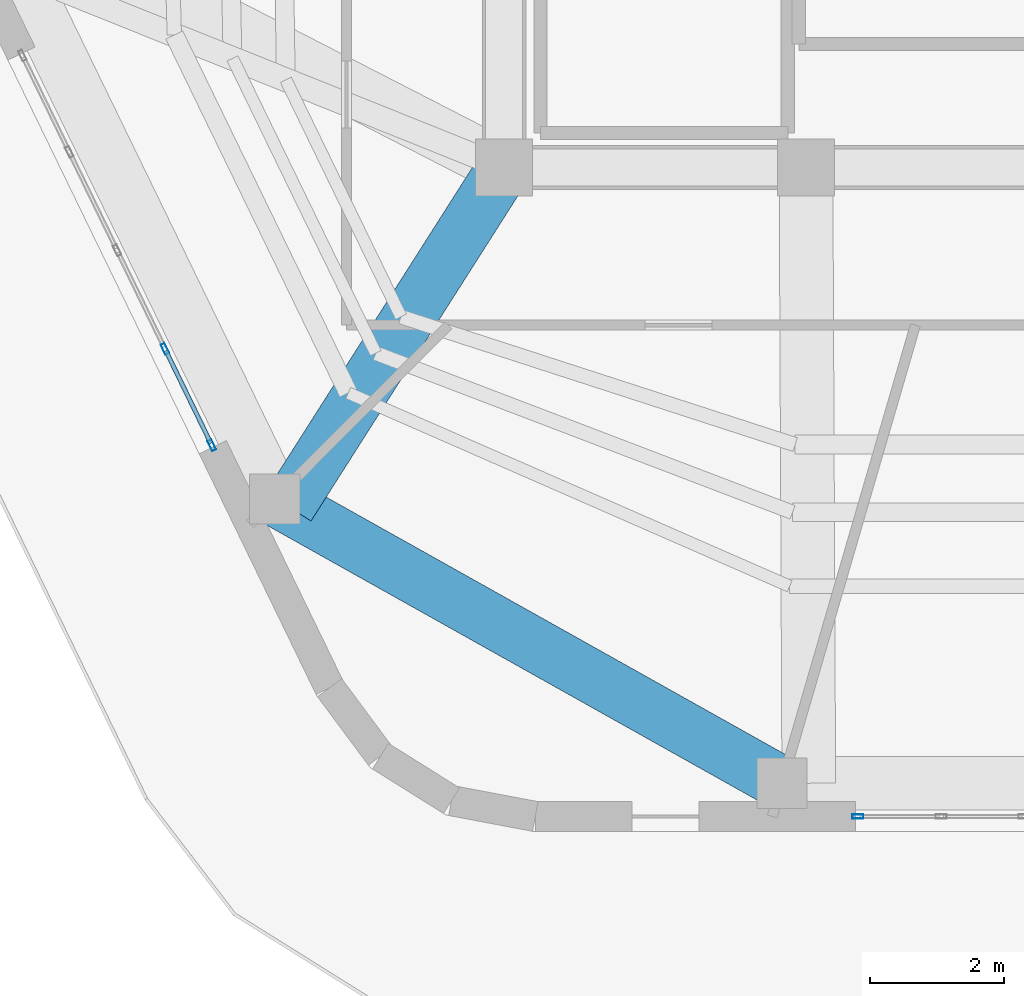
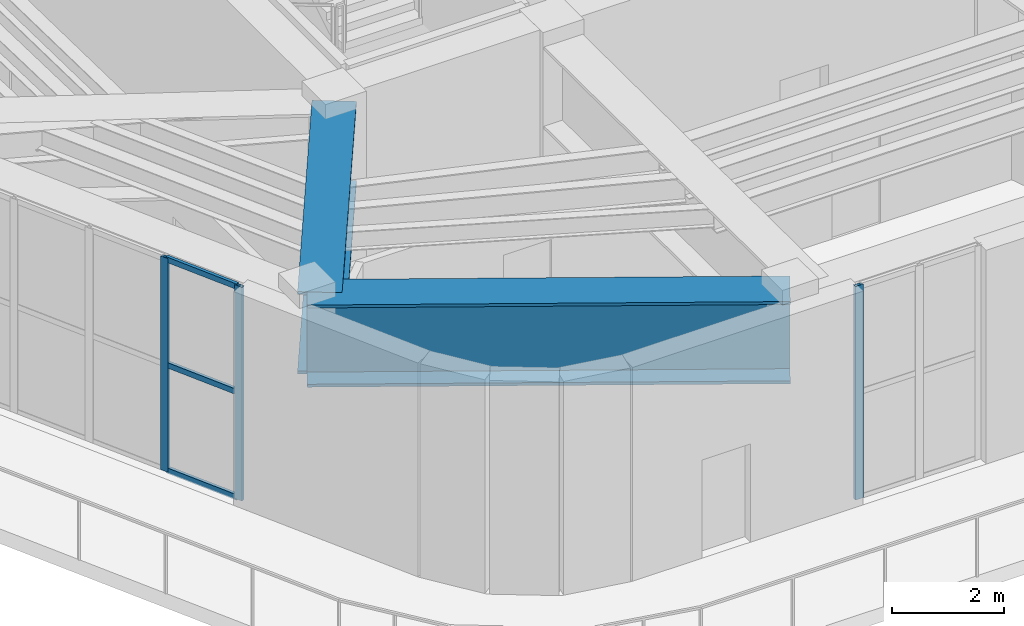
# One storey, part 2 of 24: 6 members, 2 beams, 2 elements without a shape of their own.
"""IFC4 building model written with IfcOpenShell, lengths in metres."""

from ifc_helpers import new_model, si_unit, direction, frame, origin, origin_2d, place, context, subcontext, project, spatial, hollow_rectangle, i_section, extrude, material, layer, layer_set, material_profile, profile_set, type_object, element, aggregate, save


model = new_model("IFC4")

# Units and contexts
model_context = context("Model", 3, precision=1e-05, world=origin(), true_north=direction((0.0, 1.0)))
body_context = subcontext(model_context, "Body", "Model", "MODEL_VIEW")
ifc_project = project(units=[si_unit("LENGTHUNIT", "METRE"), si_unit("AREAUNIT", "SQUARE_METRE"), si_unit("VOLUMEUNIT", "CUBIC_METRE"), si_unit("PLANEANGLEUNIT", "RADIAN"), si_unit("MASSUNIT", "GRAM", prefix="KILO")], contexts=[model_context])

# Site, building, storey
site_placement = place(None, origin())
site = spatial("IfcSite", under=ifc_project, at=site_placement, CompositionType="ELEMENT")
building_placement = place(site_placement, origin())
building = spatial("IfcBuilding", under=site, at=building_placement, Name="Kilnhurst Terrace Hotel", CompositionType="ELEMENT")
storey_placement = place(building_placement, frame((0.0, 0.0, 305.39990234375)))
storey = spatial("IfcBuildingStorey", under=building, at=storey_placement, Name="L76", CompositionType="ELEMENT", Elevation=305.39990234375)

# Curtain wall, member
ifc_material_1 = material(Name="Anodized Aluminium Alloy 6063-T6 and Low-E Glass", Category="aluminium")
ifc_layer = layer(ifc_material_1, 0.219970703125, Name="Anodized Aluminium Alloy 6063-T6 and Low-E Glass")
ifc_layer_set = layer_set([ifc_layer], Name="Anodized Aluminium Alloy 6063-T6 and Low-E Glass")
curtain_wall_type = type_object("IfcCurtainWallType", Name="CW-OBS-CROWN", PredefinedType="NOTDEFINED", material=ifc_layer_set)
curtain_wall_1_placement = place(storey_placement, origin())
curtain_wall_1 = element("IfcCurtainWall", 1, at=curtain_wall_1_placement, inside=storey, type_object=curtain_wall_type, Name="L76 Curtain Wall CW-L76-F1-1", PredefinedType="NOTDEFINED")
ifc_material_2 = material(Name="Extruded Aluminium Alloy 6063-T6", Category="aluminium")
ifc_material_profile_1 = material_profile(ifc_material_2, hollow_rectangle(XDim=0.06494140625, YDim=0.1650390625, WallThickness=0.00341796875, at=origin_2d()), Name="CWM65X165")
ifc_profile_set_1 = profile_set([ifc_material_profile_1], Name="Extruded Aluminium Alloy 6063-T6")
member_type_1 = type_object("IfcMemberType", Name="MEM-CWM65X165", PredefinedType="MULLION", material=ifc_profile_set_1)
member_1_placement = place(storey_placement, frame((-3.726318359375, -17.175048828125, 0.0), z_axis=(0.0, 0.0, 1.0), x_axis=(0.0, 1.0, 0.0)))
member_1 = element("IfcMember", 2, at=member_1_placement, type_object=member_type_1, Name="CWO-6 mullion 1", PredefinedType="MULLION", context=body_context, shape_type="SweptSolid", body=[
    extrude(hollow_rectangle(XDim=0.06494140625, YDim=0.1650390625, WallThickness=0.00341796875, at=origin_2d()), origin(), (0.0, 0.0, 1.0), 4.68017578125),
])
aggregate(curtain_wall_1, [member_1])

# Curtain wall, members
curtain_wall_2_placement = place(storey_placement, origin())
curtain_wall_2 = element("IfcCurtainWall", 3, at=curtain_wall_2_placement, inside=storey, type_object=curtain_wall_type, Name="L76 Curtain Wall CW-L76-F6-1", PredefinedType="NOTDEFINED")
member_2_placement = place(storey_placement, frame((-14.05712890625, -10.202880859375, 0.0), z_axis=(0.0, 0.0, 1.0), x_axis=(0.899435709395, 0.437053091357, 0.0)))
member_2 = element("IfcMember", 4, at=member_2_placement, type_object=member_type_1, Name="CWO-6 mullion 4", PredefinedType="MULLION", context=body_context, shape_type="SweptSolid", body=[
    extrude(hollow_rectangle(XDim=0.06494140625, YDim=0.1650390625, WallThickness=0.00341796875, at=origin_2d()), origin(), (0.0, 0.0, 1.0), 4.68017578125),
])
member_3_placement = place(storey_placement, frame((-13.3583984375, -11.640869140625, 0.0), z_axis=(0.0, 0.0, 1.0), x_axis=(0.899435709395, 0.437053091357, 0.0)))
member_3 = element("IfcMember", 5, at=member_3_placement, type_object=member_type_1, Name="CWO-6 mullion 5", PredefinedType="MULLION", context=body_context, shape_type="SweptSolid", body=[
    extrude(hollow_rectangle(XDim=0.06494140625, YDim=0.1650390625, WallThickness=0.00341796875, at=origin_2d()), origin(), (0.0, 0.0, 1.0), 4.68017578125),
])
ifc_material_profile_2 = material_profile(ifc_material_2, hollow_rectangle(XDim=0.06494140625, YDim=0.1201171875, WallThickness=0.00341796875, at=origin_2d()), Name="CWT65X120")
ifc_profile_set_2 = profile_set([ifc_material_profile_2], Name="Extruded Aluminium Alloy 6063-T6")
member_type_2 = type_object("IfcMemberType", Name="MEM-CWT65X120", PredefinedType="USERDEFINED", material=ifc_profile_set_2)
member_4_placement = place(storey_placement, frame((-14.04296875, -10.23193359375, 0.03271484375), z_axis=(0.436999612703, -0.899461693735, 0.0), x_axis=(0.899461693735, 0.436999612703, 0.0)))
member_4 = element("IfcMember", 6, at=member_4_placement, type_object=member_type_2, Name="CWO-6 transom 4.1", ObjectType="TRANSOM", PredefinedType="USERDEFINED", context=body_context, shape_type="SweptSolid", body=[
    extrude(hollow_rectangle(XDim=0.06494140625, YDim=0.1201171875, WallThickness=0.00341796875, at=origin_2d()), origin(), (0.0, 0.0, 1.0), 1.5341796875),
])
member_5_placement = place(storey_placement, frame((-14.04296875, -10.23193359375, 2.340087890625), z_axis=(0.436999612703, -0.899461693735, 0.0), x_axis=(0.899461693735, 0.436999612703, 0.0)))
member_5 = element("IfcMember", 7, at=member_5_placement, type_object=member_type_2, Name="CWO-6 transom 4.2", ObjectType="TRANSOM", PredefinedType="USERDEFINED", context=body_context, shape_type="SweptSolid", body=[
    extrude(hollow_rectangle(XDim=0.06494140625, YDim=0.1201171875, WallThickness=0.00341796875, at=origin_2d()), origin(), (0.0, 0.0, 1.0), 1.5341796875),
])
member_6_placement = place(storey_placement, frame((-14.04296875, -10.23193359375, 4.647705078125), z_axis=(0.436999612703, -0.899461693735, 0.0), x_axis=(0.899461693735, 0.436999612703, 0.0)))
member_6 = element("IfcMember", 8, at=member_6_placement, type_object=member_type_2, Name="CWO-6 transom 4.3", ObjectType="TRANSOM", PredefinedType="USERDEFINED", context=body_context, shape_type="SweptSolid", body=[
    extrude(hollow_rectangle(XDim=0.06494140625, YDim=0.1201171875, WallThickness=0.00341796875, at=origin_2d()), origin(), (0.0, 0.0, 1.0), 1.5341796875),
])
aggregate(curtain_wall_2, [member_2, member_3, member_4, member_5, member_6])

# Beams
ifc_material_3 = material(Name="Steel ASTM A572 Grade 50", Category="steel")
ifc_material_profile_3 = material_profile(ifc_material_3, i_section(OverallWidth=0.800048828125, OverallDepth=1.800048828125, WebThickness=0.0400390625, FlangeThickness=0.06494140625, at=origin_2d()), Name="PG1800X800")
ifc_profile_set_3 = profile_set([ifc_material_profile_3], Name="Steel ASTM A572 Grade 50")
beam_type = type_object("IfcBeamType", Name="TG-STEP-1800", PredefinedType="USERDEFINED", material=ifc_profile_set_3)
beam_1_placement = place(storey_placement, frame((-12.41796875, -12.443115234375, 3.780029296875), z_axis=(0.872322428961, -0.488931058465, 0.0), x_axis=(0.488931058465, 0.872322428961, 0.0)))
element("IfcBeam", 9, at=beam_1_placement, inside=storey, type_object=beam_type, Name="L76 Zone Step Perimeter Transfer Girder 12", ObjectType="GIRDER", PredefinedType="USERDEFINED", context=body_context, shape_type="SweptSolid", body=[
    extrude(i_section(OverallWidth=0.800048828125, OverallDepth=1.800048828125, WebThickness=0.0400390625, FlangeThickness=0.06494140625, at=origin_2d()), origin(), (0.0, 0.0, 1.0), 8.66552734375),
])
beam_2_placement = place(storey_placement, frame((-9.0, -7.5, 3.780029296875), z_axis=(-0.536880764507, -0.8436581326, 0.0), x_axis=(0.8436581326, -0.536880764507, 0.0)))
element("IfcBeam", 10, at=beam_2_placement, inside=storey, type_object=beam_type, Name="L76 Zone Step Radial Transfer Girder 12", ObjectType="GIRDER", PredefinedType="USERDEFINED", context=body_context, shape_type="SweptSolid", body=[
    extrude(i_section(OverallWidth=0.800048828125, OverallDepth=1.800048828125, WebThickness=0.0400390625, FlangeThickness=0.06494140625, at=origin_2d()), origin(), (0.0, 0.0, 1.0), 5.992431640625),
])

save(model, "model.ifc")
